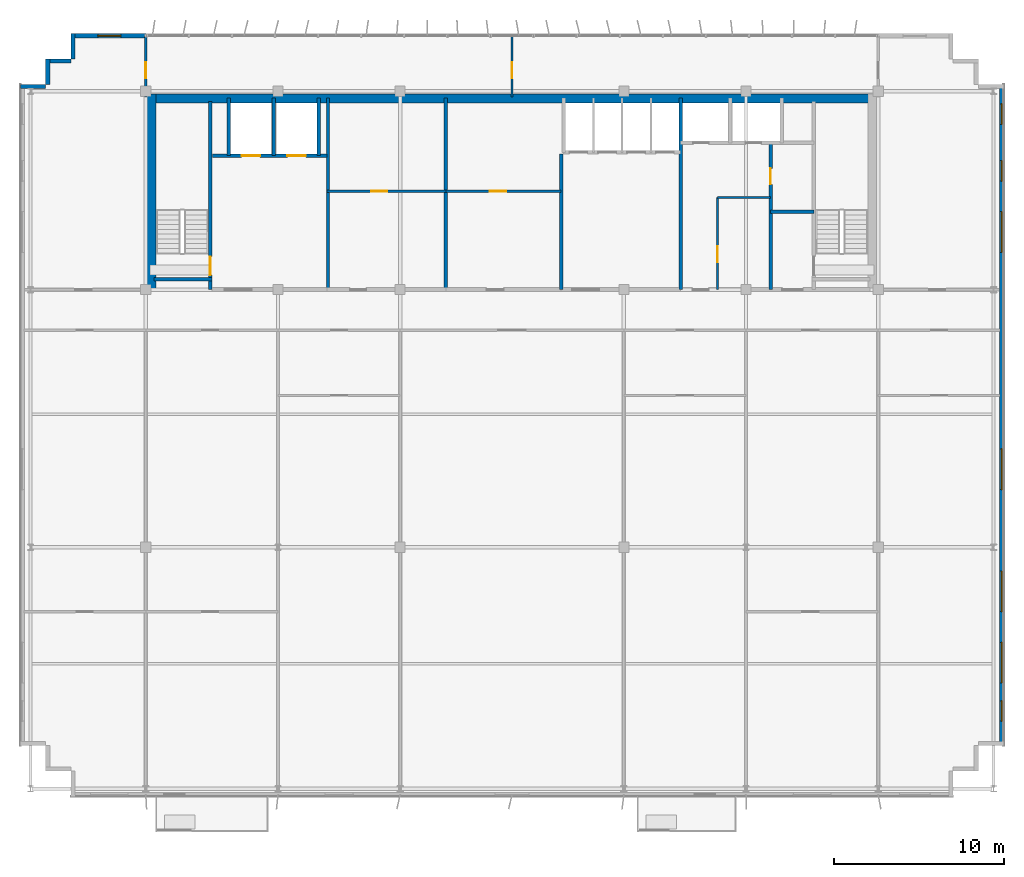
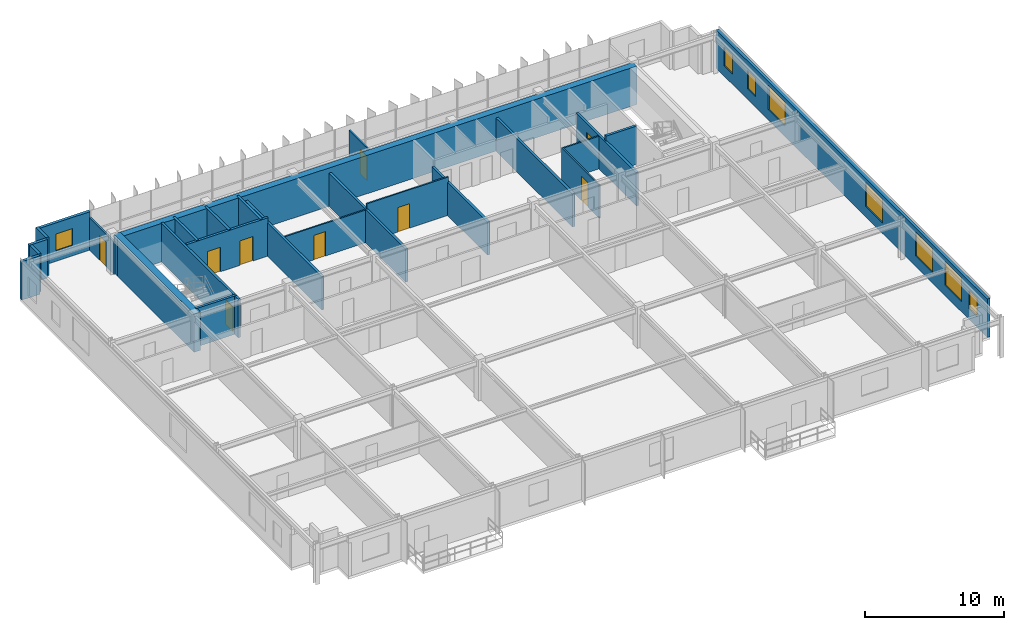
# One storey, part 18 of 21: 26 walls, 9 doors, 8 windows, 17 openings.
"""IFC4 building model written with IfcOpenShell, lengths in metres."""

from ifc_helpers import new_model, si_unit, direction, frame, frame_2d, origin, place, context, subcontext, project, spatial, rectangle, extrude, source, transform, mapped, material, layer, layer_set, type_object, element, fill, save


model = new_model("IFC4")

# Units and contexts
model_context = context("Model", 3, precision=1e-05, world=origin(), true_north=direction((0.0, 1.0)))
body_context = subcontext(model_context, "Body", "Model", "MODEL_VIEW")
ifc_project = project(units=[si_unit("LENGTHUNIT", "METRE"), si_unit("AREAUNIT", "SQUARE_METRE"), si_unit("VOLUMEUNIT", "CUBIC_METRE"), si_unit("PLANEANGLEUNIT", "RADIAN"), si_unit("MASSUNIT", "GRAM", prefix="KILO")], contexts=[model_context])

# Site, building, storey
site_placement = place(None, origin())
site = spatial("IfcSite", under=ifc_project, at=site_placement, CompositionType="ELEMENT")
building_placement = place(site_placement, origin())
building = spatial("IfcBuilding", under=site, at=building_placement, Name="Trelvane Seafront Commons", CompositionType="ELEMENT")
storey_placement = place(building_placement, frame((0.0, 0.0, 252.300048828125)))
storey = spatial("IfcBuildingStorey", under=building, at=storey_placement, Name="L65", CompositionType="ELEMENT", Elevation=252.300048828125)

# Wall, opening, window
ifc_material_1 = material(Name="Precast concrete C40/50", Category="concrete")
ifc_layer_1 = layer(ifc_material_1, 0.239990234375, Name="ARCH-WALL-EXT240")
ifc_layer_set_1 = layer_set([ifc_layer_1], Name="Precast concrete C40/50")
wall_type_1 = type_object("IfcWallType", Name="ARCH-WALL-EXT240", PredefinedType="SOLIDWALL", material=ifc_layer_set_1)
wall_1_placement = place(storey_placement, frame((11.300048828125, 48.3701171875, 0.0), z_axis=(0.0, 0.0, 1.0), x_axis=(1.0, 0.0, 0.0)))
wall_1 = element("IfcWall", 1, at=wall_1_placement, inside=storey, type_object=wall_type_1, Name="EW-L65-NW-1298", PredefinedType="SOLIDWALL", context=body_context, shape_type="SweptSolid", body=[
    extrude(rectangle(XDim=4.300048828125, YDim=0.239990234375, at=frame_2d((2.14990234375, 0.0))), origin(), (0.0, 0.0, 1.0), 3.369873046875),
])
opening_1_placement = place(wall_1_placement, frame((1.47509765625, 0.0, 0.89990234375)))
opening_1 = element("IfcOpeningElement", 2, at=opening_1_placement, cuts=wall_1, Name="Opening W09", PredefinedType="OPENING", context=body_context, shape_type="SweptSolid", body=[
    extrude(rectangle(XDim=1.35009765625, YDim=1.5, at=frame_2d((0.675048828125, 0.75))), frame((0.0, 0.1298828125, 0.0), z_axis=(0.0, -1.0, 0.0), x_axis=(1.0, 0.0, 0.0)), (0.0, 0.0, 1.0), 0.260009765625),
])
ifc_material_2 = material(Name="Low-E coastal double glazing", Category="glass")
window_type_1 = type_object("IfcWindowType", Name="ARCH-WIN-W09", PartitioningType="SINGLE_PANEL", PredefinedType="WINDOW", material=ifc_material_2)
shared_shape_1 = source(origin(), body_context, "Body", "SweptSolid", [
    extrude(rectangle(XDim=1.35009765625, YDim=1.5, at=frame_2d((0.675048828125, 0.75))), frame((0.0, 0.030029296875, 0.0), z_axis=(0.0, -1.0, 0.0), x_axis=(1.0, 0.0, 0.0)), (0.0, 0.0, 1.0), 0.06005859375),
])
window_1_placement = place(opening_1_placement, origin())
window_1 = element("IfcWindow", 3, at=window_1_placement, inside=storey, type_object=window_type_1, Name="WIN-L65-01554", OverallHeight=1.5, OverallWidth=1.35009765625, PartitioningType="SINGLE_PANEL", PredefinedType="WINDOW", context=body_context, shape_type="MappedRepresentation", body=[
    mapped(shared_shape_1, transform((0.0, 0.0, 0.0), x_axis=(1.0, 0.0, 0.0), y_axis=(0.0, 1.0, 0.0), z_axis=(0.0, 0.0, 1.0), scale=1.0)),
])
fill(opening_1, window_1)

# Walls
for number, where, z_axis, x_axis, name in (
    (4, (8.199951171875, 45.3798828125, 0.0), (0.0, 0.0, 1.0), (1.0, 0.0, 0.0), "EW-L65-01304"),
    (5, (9.820068359375, 45.5, 0.0), (0.0, 0.0, 1.0), (0.0, 1.0, 0.0), "EW-L65-01305"),
    (6, (9.699951171875, 46.8798828125, 0.0), (0.0, 0.0, 1.0), (1.0, 0.0, 0.0), "EW-L65-01306"),
    (7, (11.320068359375, 47.0, 0.0), (0.0, 0.0, 1.0), (0.0, 1.0, 0.0), "EW-L65-01307"),
):
    element("IfcWall", number, at=place(storey_placement, frame(where, z_axis=z_axis, x_axis=x_axis)), inside=storey, type_object=wall_type_1, Name=name, PredefinedType="SOLIDWALL", context=body_context, shape_type="SweptSolid", body=[
        extrude(rectangle(XDim=1.5, YDim=0.239990234375, at=frame_2d((0.75, 0.0))), origin(), (0.0, 0.0, 1.0), 3.369873046875),
    ])

# Wall, openings, windows
wall_2_placement = place(storey_placement, frame((66.080078125, 45.5, 0.0), z_axis=(0.0, 0.0, 1.0), x_axis=(0.0, -1.0, 0.0)))
wall_2 = element("IfcWall", 8, at=wall_2_placement, inside=storey, type_object=wall_type_1, Name="EW-L65-01312", PredefinedType="SOLIDWALL", context=body_context, shape_type="SweptSolid", body=[
    extrude(rectangle(XDim=39.0, YDim=0.239990234375, at=frame_2d((19.5, 0.0))), origin(), (0.0, 0.0, 1.0), 3.369873046875),
])
opening_2_placement = place(wall_2_placement, frame((36.35009765625, 0.0, 0.919921875)))
opening_2 = element("IfcOpeningElement", 9, at=opening_2_placement, cuts=wall_2, Name="Opening W05", PredefinedType="OPENING", context=body_context, shape_type="SweptSolid", body=[
    extrude(rectangle(XDim=1.199951171875, YDim=1.64990234375, at=frame_2d((0.60009765625, 0.824951171875))), frame((0.0, 0.1298828125, 0.0), z_axis=(0.0, -1.0, 0.0), x_axis=(1.0, 0.0, 0.0)), (0.0, 0.0, 1.0), 0.260009765625),
])
opening_3_placement = place(wall_2_placement, frame((32.89990234375, 0.0, 0.919921875)))
opening_3 = element("IfcOpeningElement", 10, at=opening_3_placement, cuts=wall_2, Name="Opening W08", PredefinedType="OPENING", context=body_context, shape_type="SweptSolid", body=[
    extrude(rectangle(XDim=2.39990234375, YDim=2.10009765625, at=frame_2d((1.199951171875, 1.050048828125))), frame((0.0, 0.1298828125, 0.0), z_axis=(0.0, -1.0, 0.0), x_axis=(1.0, 0.0, 0.0)), (0.0, 0.0, 1.0), 0.260009765625),
])
opening_4_placement = place(wall_2_placement, frame((28.699951171875, 0.0, 0.919921875)))
opening_4 = element("IfcOpeningElement", 11, at=opening_4_placement, cuts=wall_2, Name="Opening W08", PredefinedType="OPENING", context=body_context, shape_type="SweptSolid", body=[
    extrude(rectangle(XDim=2.39990234375, YDim=2.10009765625, at=frame_2d((1.199951171875, 1.050048828125))), frame((0.0, 0.1298828125, 0.0), z_axis=(0.0, -1.0, 0.0), x_axis=(1.0, 0.0, 0.0)), (0.0, 0.0, 1.0), 0.260009765625),
])
opening_5_placement = place(wall_2_placement, frame((21.5, 0.0, 0.919921875)))
opening_5 = element("IfcOpeningElement", 12, at=opening_5_placement, cuts=wall_2, Name="Opening W08", PredefinedType="OPENING", context=body_context, shape_type="SweptSolid", body=[
    extrude(rectangle(XDim=2.39990234375, YDim=2.10009765625, at=frame_2d((1.199951171875, 1.050048828125))), frame((0.0, 0.1298828125, 0.0), z_axis=(0.0, -1.0, 0.0), x_axis=(1.0, 0.0, 0.0)), (0.0, 0.0, 1.0), 0.260009765625),
])
opening_6_placement = place(wall_2_placement, frame((7.5, 0.0, 0.919921875)))
opening_6 = element("IfcOpeningElement", 13, at=opening_6_placement, cuts=wall_2, Name="Opening W08", PredefinedType="OPENING", context=body_context, shape_type="SweptSolid", body=[
    extrude(rectangle(XDim=2.39990234375, YDim=2.10009765625, at=frame_2d((1.199951171875, 1.050048828125))), frame((0.0, 0.1298828125, 0.0), z_axis=(0.0, -1.0, 0.0), x_axis=(1.0, 0.0, 0.0)), (0.0, 0.0, 1.0), 0.260009765625),
])
opening_7_placement = place(wall_2_placement, frame((4.5, 0.0, 0.919921875)))
opening_7 = element("IfcOpeningElement", 14, at=opening_7_placement, cuts=wall_2, Name="Opening W05", PredefinedType="OPENING", context=body_context, shape_type="SweptSolid", body=[
    extrude(rectangle(XDim=1.199951171875, YDim=1.64990234375, at=frame_2d((0.60009765625, 0.824951171875))), frame((0.0, 0.1298828125, 0.0), z_axis=(0.0, -1.0, 0.0), x_axis=(1.0, 0.0, 0.0)), (0.0, 0.0, 1.0), 0.260009765625),
])
opening_8_placement = place(wall_2_placement, frame((1.14990234375, 0.0, 0.919921875)))
opening_8 = element("IfcOpeningElement", 15, at=opening_8_placement, cuts=wall_2, Name="Opening W05", PredefinedType="OPENING", context=body_context, shape_type="SweptSolid", body=[
    extrude(rectangle(XDim=1.199951171875, YDim=1.64990234375, at=frame_2d((0.60009765625, 0.824951171875))), frame((0.0, 0.1298828125, 0.0), z_axis=(0.0, -1.0, 0.0), x_axis=(1.0, 0.0, 0.0)), (0.0, 0.0, 1.0), 0.260009765625),
])
window_type_2 = type_object("IfcWindowType", Name="ARCH-WIN-W08", PartitioningType="SINGLE_PANEL", PredefinedType="WINDOW", material=ifc_material_2)
shared_shape_2 = source(origin(), body_context, "Body", "SweptSolid", [
    extrude(rectangle(XDim=2.39990234375, YDim=2.10009765625, at=frame_2d((1.199951171875, 1.050048828125))), frame((0.0, 0.030029296875, 0.0), z_axis=(0.0, -1.0, 0.0), x_axis=(1.0, 0.0, 0.0)), (0.0, 0.0, 1.0), 0.06005859375),
])
window_2_placement = place(opening_3_placement, origin())
window_2 = element("IfcWindow", 16, at=window_2_placement, inside=storey, type_object=window_type_2, Name="WIN-L65-EW-01563", OverallHeight=2.10009765625, OverallWidth=2.39990234375, PartitioningType="SINGLE_PANEL", PredefinedType="WINDOW", context=body_context, shape_type="MappedRepresentation", body=[
    mapped(shared_shape_2, transform((0.0, 0.0, 0.0), x_axis=(1.0, 0.0, 0.0), y_axis=(0.0, 1.0, 0.0), z_axis=(0.0, 0.0, 1.0), scale=1.0)),
])
fill(opening_3, window_2)
window_3_placement = place(opening_4_placement, origin())
window_3 = element("IfcWindow", 17, at=window_3_placement, inside=storey, type_object=window_type_2, Name="WIN-L65-EW-01564", OverallHeight=2.10009765625, OverallWidth=2.39990234375, PartitioningType="SINGLE_PANEL", PredefinedType="WINDOW", context=body_context, shape_type="MappedRepresentation", body=[
    mapped(shared_shape_2, transform((0.0, 0.0, 0.0), x_axis=(1.0, 0.0, 0.0), y_axis=(0.0, 1.0, 0.0), z_axis=(0.0, 0.0, 1.0), scale=1.0)),
])
fill(opening_4, window_3)
window_4_placement = place(opening_5_placement, origin())
window_4 = element("IfcWindow", 18, at=window_4_placement, inside=storey, type_object=window_type_2, Name="WIN-L65-EW-01565", OverallHeight=2.10009765625, OverallWidth=2.39990234375, PartitioningType="SINGLE_PANEL", PredefinedType="WINDOW", context=body_context, shape_type="MappedRepresentation", body=[
    mapped(shared_shape_2, transform((0.0, 0.0, 0.0), x_axis=(1.0, 0.0, 0.0), y_axis=(0.0, 1.0, 0.0), z_axis=(0.0, 0.0, 1.0), scale=1.0)),
])
fill(opening_5, window_4)
window_5_placement = place(opening_6_placement, origin())
window_5 = element("IfcWindow", 19, at=window_5_placement, inside=storey, type_object=window_type_2, Name="WIN-L65-EW-01566", OverallHeight=2.10009765625, OverallWidth=2.39990234375, PartitioningType="SINGLE_PANEL", PredefinedType="WINDOW", context=body_context, shape_type="MappedRepresentation", body=[
    mapped(shared_shape_2, transform((0.0, 0.0, 0.0), x_axis=(1.0, 0.0, 0.0), y_axis=(0.0, 1.0, 0.0), z_axis=(0.0, 0.0, 1.0), scale=1.0)),
])
fill(opening_6, window_5)
window_type_3 = type_object("IfcWindowType", Name="ARCH-WIN-W05", PartitioningType="SINGLE_PANEL", PredefinedType="WINDOW", material=ifc_material_2)
shared_shape_3 = source(origin(), body_context, "Body", "SweptSolid", [
    extrude(rectangle(XDim=1.199951171875, YDim=1.64990234375, at=frame_2d((0.60009765625, 0.824951171875))), frame((0.0, 0.030029296875, 0.0), z_axis=(0.0, -1.0, 0.0), x_axis=(1.0, 0.0, 0.0)), (0.0, 0.0, 1.0), 0.06005859375),
])
window_6_placement = place(opening_2_placement, origin())
window_6 = element("IfcWindow", 20, at=window_6_placement, inside=storey, type_object=window_type_3, Name="WIN-L65-EW-01562", OverallHeight=1.64990234375, OverallWidth=1.199951171875, PartitioningType="SINGLE_PANEL", PredefinedType="WINDOW", context=body_context, shape_type="MappedRepresentation", body=[
    mapped(shared_shape_3, transform((0.0, 0.0, 0.0), x_axis=(1.0, 0.0, 0.0), y_axis=(0.0, 1.0, 0.0), z_axis=(0.0, 0.0, 1.0), scale=1.0)),
])
fill(opening_2, window_6)
window_7_placement = place(opening_7_placement, origin())
window_7 = element("IfcWindow", 21, at=window_7_placement, inside=storey, type_object=window_type_3, Name="WIN-L65-EW-01567", OverallHeight=1.64990234375, OverallWidth=1.199951171875, PartitioningType="SINGLE_PANEL", PredefinedType="WINDOW", context=body_context, shape_type="MappedRepresentation", body=[
    mapped(shared_shape_3, transform((0.0, 0.0, 0.0), x_axis=(1.0, 0.0, 0.0), y_axis=(0.0, 1.0, 0.0), z_axis=(0.0, 0.0, 1.0), scale=1.0)),
])
fill(opening_7, window_7)
window_8_placement = place(opening_8_placement, origin())
window_8 = element("IfcWindow", 22, at=window_8_placement, inside=storey, type_object=window_type_3, Name="WIN-L65-EW-01568", OverallHeight=1.64990234375, OverallWidth=1.199951171875, PartitioningType="SINGLE_PANEL", PredefinedType="WINDOW", context=body_context, shape_type="MappedRepresentation", body=[
    mapped(shared_shape_3, transform((0.0, 0.0, 0.0), x_axis=(1.0, 0.0, 0.0), y_axis=(0.0, 1.0, 0.0), z_axis=(0.0, 0.0, 1.0), scale=1.0)),
])
fill(opening_8, window_8)

# Wall, opening, door
ifc_material_3 = material(Name="Concrete C40/50", Category="concrete")
ifc_layer_2 = layer(ifc_material_3, 0.199951171875, Name="ARCH-WALL-FIRE200")
ifc_layer_set_2 = layer_set([ifc_layer_2], Name="Concrete C40/50")
wall_type_2 = type_object("IfcWallType", Name="ARCH-WALL-FIRE200", PredefinedType="PARTITIONING", material=ifc_layer_set_2)
wall_3_placement = place(storey_placement, frame((52.449951171875, 33.39990234375, 0.0), z_axis=(0.0, 0.0, 1.0), x_axis=(0.0, 1.0, 0.0)))
wall_3 = element("IfcWall", 23, at=wall_3_placement, inside=storey, type_object=wall_type_2, Name="W-L65-ST2V-W-030", PredefinedType="PARTITIONING", context=body_context, shape_type="SweptSolid", body=[
    extrude(rectangle(XDim=8.650146484375, YDim=0.199951171875, at=frame_2d((4.3251953125, 0.0))), origin(), (0.0, 0.0, 1.0), 2.919921875),
])
opening_9_placement = place(wall_3_placement, frame((6.199951171875, 0.0, 0.0)))
opening_9 = element("IfcOpeningElement", 24, at=opening_9_placement, cuts=wall_3, Name="Opening FD-L65-17", PredefinedType="OPENING", context=body_context, shape_type="SweptSolid", body=[
    extrude(rectangle(XDim=0.949951171875, YDim=2.14990234375, at=frame_2d((0.47509765625, 1.074951171875))), frame((0.0, 0.10986328125, 0.0), z_axis=(0.0, -1.0, 0.0), x_axis=(1.0, 0.0, 0.0)), (0.0, 0.0, 1.0), 0.219970703125),
])
ifc_material_4 = material(Name="Powder-coated aluminium frame", Category="aluminium")
door_type_1 = type_object("IfcDoorType", Name="ARCH-DR-FD60-950", OperationType="NOTDEFINED", PredefinedType="DOOR", material=ifc_material_4)
shared_shape_4 = source(origin(), body_context, "Body", "SweptSolid", [
    extrude(rectangle(XDim=0.949951171875, YDim=2.14990234375, at=frame_2d((0.47509765625, 1.074951171875))), frame((0.0, 0.02490234375, 0.0), z_axis=(0.0, -1.0, 0.0), x_axis=(1.0, 0.0, 0.0)), (0.0, 0.0, 1.0), 0.050048828125),
])
door_1_placement = place(opening_9_placement, origin())
door_1 = element("IfcDoor", 25, at=door_1_placement, inside=storey, type_object=door_type_1, Name="L65 Cleaner Store Door", OperationType="SINGLE_SWING_LEFT", OverallHeight=2.14990234375, OverallWidth=0.949951171875, PredefinedType="DOOR", context=body_context, shape_type="MappedRepresentation", body=[
    mapped(shared_shape_4, transform((0.0, 0.0, 0.0), x_axis=(1.0, 0.0, 0.0), y_axis=(0.0, 1.0, 0.0), z_axis=(0.0, 0.0, 1.0), scale=1.0)),
])
fill(opening_9, door_1)

# Wall
wall_4_placement = place(storey_placement, frame((52.449951171875, 38.0, 0.0), z_axis=(0.0, 0.0, 1.0), x_axis=(1.0, 0.0, 0.0)))
element("IfcWall", 26, at=wall_4_placement, inside=storey, type_object=wall_type_2, Name="W-L65-ST2V-N-031", PredefinedType="PARTITIONING", context=body_context, shape_type="SweptSolid", body=[
    extrude(rectangle(XDim=2.550048828125, YDim=0.199951171875, at=frame_2d((1.27490234375, 0.0))), origin(), (0.0, 0.0, 1.0), 3.369873046875),
])

# Wall, opening, door
ifc_material_5 = material(Name="Gypsum Drywall Acoustic Partition")
ifc_layer_3 = layer(ifc_material_5, 0.1201171875, Name="ARCH-WALL-PART120")
ifc_layer_set_3 = layer_set([ifc_layer_3], Name="Gypsum Drywall Acoustic Partition")
wall_type_3 = type_object("IfcWallType", Name="ARCH-WALL-PART120", PredefinedType="PARTITIONING", material=ifc_layer_set_3)
wall_5_placement = place(storey_placement, frame((26.300048828125, 39.199951171875, 0.0), z_axis=(0.0, 0.0, 1.0), x_axis=(1.0, 0.0, 0.0)))
wall_5 = element("IfcWall", 27, at=wall_5_placement, inside=storey, type_object=wall_type_3, Name="W-L65-FREED-PL-MID-014", PredefinedType="PARTITIONING", context=body_context, shape_type="SweptSolid", body=[
    extrude(rectangle(XDim=7.0, YDim=0.1201171875, at=frame_2d((3.5, 0.0))), origin(), (0.0, 0.0, 1.0), 2.869873046875),
])
opening_10_placement = place(wall_5_placement, frame((2.60009765625, 0.0, 0.0)))
opening_10 = element("IfcOpeningElement", 28, at=opening_10_placement, cuts=wall_5, Name="Opening D-L65-06", PredefinedType="OPENING", context=body_context, shape_type="SweptSolid", body=[
    extrude(rectangle(XDim=0.949951171875, YDim=2.14990234375, at=frame_2d((0.47509765625, 1.074951171875))), frame((0.0, 0.070068359375, 0.0), z_axis=(0.0, -1.0, 0.0), x_axis=(1.0, 0.0, 0.0)), (0.0, 0.0, 1.0), 0.14013671875),
])
ifc_material_6 = material(Name="Acoustic timber door leaf", Category="wood")
door_type_2 = type_object("IfcDoorType", Name="ARCH-DR-INT950", OperationType="NOTDEFINED", PredefinedType="DOOR", material=ifc_material_6)
door_2_placement = place(opening_10_placement, origin())
door_2 = element("IfcDoor", 29, at=door_2_placement, inside=storey, type_object=door_type_2, Name="L65 Housekeeping Store Door", OperationType="SINGLE_SWING_RIGHT", OverallHeight=2.14990234375, OverallWidth=0.949951171875, PredefinedType="DOOR", context=body_context, shape_type="MappedRepresentation", body=[
    mapped(shared_shape_4, transform((0.0, 0.0, 0.0), x_axis=(1.0, 0.0, 0.0), y_axis=(0.0, 1.0, 0.0), z_axis=(0.0, 0.0, 1.0), scale=1.0)),
])
fill(opening_10, door_2)

wall_6_placement = place(storey_placement, frame((33.300048828125, 39.199951171875, 0.0), z_axis=(0.0, 0.0, 1.0), x_axis=(1.0, 0.0, 0.0)))
wall_6 = element("IfcWall", 30, at=wall_6_placement, inside=storey, type_object=wall_type_3, Name="W-L65-FREED-PM-MID-016", PredefinedType="PARTITIONING", context=body_context, shape_type="SweptSolid", body=[
    extrude(rectangle(XDim=6.800048828125, YDim=0.1201171875, at=frame_2d((3.39990234375, 0.0))), origin(), (0.0, 0.0, 1.0), 3.369873046875),
])
opening_11_placement = place(wall_6_placement, frame((2.60009765625, 0.0, 0.0)))
opening_11 = element("IfcOpeningElement", 31, at=opening_11_placement, cuts=wall_6, Name="Opening D-L65-07", PredefinedType="OPENING", context=body_context, shape_type="SweptSolid", body=[
    extrude(rectangle(XDim=0.949951171875, YDim=2.14990234375, at=frame_2d((0.47509765625, 1.074951171875))), frame((0.0, 0.070068359375, 0.0), z_axis=(0.0, -1.0, 0.0), x_axis=(1.0, 0.0, 0.0)), (0.0, 0.0, 1.0), 0.14013671875),
])
door_3_placement = place(opening_11_placement, origin())
door_3 = element("IfcDoor", 32, at=door_3_placement, inside=storey, type_object=door_type_2, Name="L65 IT Comms Room Door", OperationType="SINGLE_SWING_LEFT", OverallHeight=2.14990234375, OverallWidth=0.949951171875, PredefinedType="DOOR", context=body_context, shape_type="MappedRepresentation", body=[
    mapped(shared_shape_4, transform((0.0, 0.0, 0.0), x_axis=(1.0, 0.0, 0.0), y_axis=(0.0, 1.0, 0.0), z_axis=(0.0, 0.0, 1.0), scale=1.0)),
])
fill(opening_11, door_3)

wall_7_placement = place(storey_placement, frame((49.320068359375, 33.39990234375, 0.0), z_axis=(0.0, 0.0, 1.0), x_axis=(0.0, 1.0, 0.0)))
wall_7 = element("IfcWall", 33, at=wall_7_placement, inside=storey, type_object=wall_type_3, Name="W-L65-CYC2-V-032", PredefinedType="PARTITIONING", context=body_context, shape_type="SweptSolid", body=[
    extrude(rectangle(XDim=5.420166015625, YDim=0.1201171875, at=frame_2d((2.7099609375, 0.0))), origin(), (0.0, 0.0, 1.0), 2.919921875),
])
opening_12_placement = place(wall_7_placement, frame((1.60009765625, 0.0, 0.0)))
opening_12 = element("IfcOpeningElement", 34, at=opening_12_placement, cuts=wall_7, Name="Opening D-L65-18", PredefinedType="OPENING", context=body_context, shape_type="SweptSolid", body=[
    extrude(rectangle(XDim=0.949951171875, YDim=2.14990234375, at=frame_2d((0.47509765625, 1.074951171875))), frame((0.0, 0.070068359375, 0.0), z_axis=(0.0, -1.0, 0.0), x_axis=(1.0, 0.0, 0.0)), (0.0, 0.0, 1.0), 0.14013671875),
])
door_4_placement = place(opening_12_placement, origin())
door_4 = element("IfcDoor", 35, at=door_4_placement, inside=storey, type_object=door_type_2, Name="L65 Accessible WC Door", OperationType="SINGLE_SWING_RIGHT", OverallHeight=2.14990234375, OverallWidth=0.949951171875, PredefinedType="DOOR", context=body_context, shape_type="MappedRepresentation", body=[
    mapped(shared_shape_4, transform((0.0, 0.0, 0.0), x_axis=(1.0, 0.0, 0.0), y_axis=(0.0, 1.0, 0.0), z_axis=(0.0, 0.0, 1.0), scale=1.0)),
])
fill(opening_12, door_4)

# Wall
wall_8_placement = place(storey_placement, frame((49.320068359375, 38.820068359375, 0.0), z_axis=(0.0, 0.0, 1.0), x_axis=(1.0, 0.0, 0.0)))
element("IfcWall", 36, at=wall_8_placement, inside=storey, type_object=wall_type_3, Name="W-L65-CYC2-H-033", PredefinedType="PARTITIONING", context=body_context, shape_type="SweptSolid", body=[
    extrude(rectangle(XDim=3.1298828125, YDim=0.1201171875, at=frame_2d((1.56494140625, 0.0))), origin(), (0.0, 0.0, 1.0), 2.869873046875),
])

# Wall, opening, door
wall_9_placement = place(storey_placement, frame((37.199951171875, 44.75, 0.0), z_axis=(0.0, 0.0, 1.0), x_axis=(0.0, 1.0, 0.0)))
wall_9 = element("IfcWall", 37, at=wall_9_placement, inside=storey, type_object=wall_type_3, Name="W-L65-N-MID-DV-037", PredefinedType="PARTITIONING", context=body_context, shape_type="SweptSolid", body=[
    extrude(rectangle(XDim=3.610107421875, YDim=0.1201171875, at=frame_2d((1.80517578125, 0.0))), origin(), (0.0, 0.0, 1.0), 2.919921875),
])
opening_13_placement = place(wall_9_placement, frame((1.10009765625, 0.0, 0.0)))
opening_13 = element("IfcOpeningElement", 38, at=opening_13_placement, cuts=wall_9, Name="Opening D-L65-23", PredefinedType="OPENING", context=body_context, shape_type="SweptSolid", body=[
    extrude(rectangle(XDim=0.949951171875, YDim=2.14990234375, at=frame_2d((0.47509765625, 1.074951171875))), frame((0.0, 0.070068359375, 0.0), z_axis=(0.0, -1.0, 0.0), x_axis=(1.0, 0.0, 0.0)), (0.0, 0.0, 1.0), 0.14013671875),
])
door_5_placement = place(opening_13_placement, origin())
door_5 = element("IfcDoor", 39, at=door_5_placement, inside=storey, type_object=door_type_2, Name="L65 Door 23", OperationType="SINGLE_SWING_LEFT", OverallHeight=2.14990234375, OverallWidth=0.949951171875, PredefinedType="DOOR", context=body_context, shape_type="MappedRepresentation", body=[
    mapped(shared_shape_4, transform((0.0, 0.0, 0.0), x_axis=(1.0, 0.0, 0.0), y_axis=(0.0, 1.0, 0.0), z_axis=(0.0, 0.0, 1.0), scale=1.0)),
])
fill(opening_13, door_5)

ifc_layer_4 = layer(ifc_material_5, 0.14990234375, Name="ARCH-WALL-PART150")
ifc_layer_set_4 = layer_set([ifc_layer_4], Name="Gypsum Drywall Acoustic Partition")
wall_type_4 = type_object("IfcWallType", Name="ARCH-WALL-PART150", PredefinedType="PARTITIONING", material=ifc_layer_set_4)
wall_10_placement = place(storey_placement, frame((15.60009765625, 44.75, 0.0), z_axis=(0.0, 0.0, 1.0), x_axis=(0.0, 1.0, 0.0)))
wall_10 = element("IfcWall", 40, at=wall_10_placement, inside=storey, type_object=wall_type_4, Name="W-L65-N-LINK-W-038", PredefinedType="PARTITIONING", context=body_context, shape_type="SweptSolid", body=[
    extrude(rectangle(XDim=3.610107421875, YDim=0.14990234375, at=frame_2d((1.80517578125, 0.0))), origin(), (0.0, 0.0, 1.0), 2.869873046875),
])
opening_14_placement = place(wall_10_placement, frame((1.10009765625, 0.0, 0.0)))
opening_14 = element("IfcOpeningElement", 41, at=opening_14_placement, cuts=wall_10, Name="Opening FD-L65-24", PredefinedType="OPENING", context=body_context, shape_type="SweptSolid", body=[
    extrude(rectangle(XDim=0.949951171875, YDim=2.14990234375, at=frame_2d((0.47509765625, 1.074951171875))), frame((0.0, 0.0849609375, 0.0), z_axis=(0.0, -1.0, 0.0), x_axis=(1.0, 0.0, 0.0)), (0.0, 0.0, 1.0), 0.169921875),
])
door_6_placement = place(opening_14_placement, origin())
door_6 = element("IfcDoor", 42, at=door_6_placement, inside=storey, type_object=door_type_1, Name="L65 Door 24", OperationType="SINGLE_SWING_RIGHT", OverallHeight=2.14990234375, OverallWidth=0.949951171875, PredefinedType="DOOR", context=body_context, shape_type="MappedRepresentation", body=[
    mapped(shared_shape_4, transform((0.0, 0.0, 0.0), x_axis=(1.0, 0.0, 0.0), y_axis=(0.0, 1.0, 0.0), z_axis=(0.0, 0.0, 1.0), scale=1.0)),
])
fill(opening_14, door_6)

# Wall, openings, doors
ifc_layer_5 = layer(ifc_material_3, 0.199951171875, Name="ARCH-WALL-SHAFT200")
ifc_layer_set_5 = layer_set([ifc_layer_5], Name="Concrete C40/50")
wall_type_5 = type_object("IfcWallType", Name="ARCH-WALL-SHAFT200", PredefinedType="SOLIDWALL", material=ifc_layer_set_5)
wall_11_placement = place(storey_placement, frame((19.550048828125, 41.300048828125, 0.0), z_axis=(0.0, 0.0, 1.0), x_axis=(1.0, 0.0, 0.0)))
wall_11 = element("IfcWall", 43, at=wall_11_placement, inside=storey, type_object=wall_type_5, Name="W-L65-FFL-FRONT-008", PredefinedType="SOLIDWALL", context=body_context, shape_type="SweptSolid", body=[
    extrude(rectangle(XDim=6.75, YDim=0.199951171875, at=frame_2d((3.375, 0.0))), origin(), (0.0, 0.0, 1.0), 3.369873046875),
])
opening_15_placement = place(wall_11_placement, frame((1.699951171875, 0.0, 0.0)))
opening_15 = element("IfcOpeningElement", 44, at=opening_15_placement, cuts=wall_11, Name="Opening LD-FF1-L65", PredefinedType="OPENING", context=body_context, shape_type="SweptSolid", body=[
    extrude(rectangle(XDim=1.10009765625, YDim=2.14990234375, at=frame_2d((0.550048828125, 1.074951171875))), frame((0.0, 0.10986328125, 0.0), z_axis=(0.0, -1.0, 0.0), x_axis=(1.0, 0.0, 0.0)), (0.0, 0.0, 1.0), 0.219970703125),
])
opening_16_placement = place(wall_11_placement, frame((4.39990234375, 0.0, 0.0)))
opening_16 = element("IfcOpeningElement", 45, at=opening_16_placement, cuts=wall_11, Name="Opening LD-FF2-L65", PredefinedType="OPENING", context=body_context, shape_type="SweptSolid", body=[
    extrude(rectangle(XDim=1.10009765625, YDim=2.14990234375, at=frame_2d((0.550048828125, 1.074951171875))), frame((0.0, 0.10986328125, 0.0), z_axis=(0.0, -1.0, 0.0), x_axis=(1.0, 0.0, 0.0)), (0.0, 0.0, 1.0), 0.219970703125),
])
ifc_material_7 = material(Name="Stainless steel balustrade", Category="steel")
door_type_3 = type_object("IfcDoorType", Name="ARCH-DR-LD1100", OperationType="DOUBLE_DOOR_SLIDING", PredefinedType="DOOR", material=ifc_material_7)
shared_shape_5 = source(origin(), body_context, "Body", "SweptSolid", [
    extrude(rectangle(XDim=1.10009765625, YDim=2.14990234375, at=frame_2d((0.550048828125, 1.074951171875))), frame((0.0, 0.02490234375, 0.0), z_axis=(0.0, -1.0, 0.0), x_axis=(1.0, 0.0, 0.0)), (0.0, 0.0, 1.0), 0.050048828125),
])
door_7_placement = place(opening_15_placement, origin())
door_7 = element("IfcDoor", 46, at=door_7_placement, inside=storey, type_object=door_type_3, Name="L65 Firefighting Lift FFL-1 Landing Door", OperationType="DOUBLE_DOOR_SLIDING", OverallHeight=2.14990234375, OverallWidth=1.10009765625, PredefinedType="DOOR", context=body_context, shape_type="MappedRepresentation", body=[
    mapped(shared_shape_5, transform((0.0, 0.0, 0.0), x_axis=(1.0, 0.0, 0.0), y_axis=(0.0, 1.0, 0.0), z_axis=(0.0, 0.0, 1.0), scale=1.0)),
])
fill(opening_15, door_7)
door_8_placement = place(opening_16_placement, origin())
door_8 = element("IfcDoor", 47, at=door_8_placement, inside=storey, type_object=door_type_3, Name="L65 Firefighting Lift FFL-2 Landing Door", OperationType="DOUBLE_DOOR_SLIDING", OverallHeight=2.14990234375, OverallWidth=1.10009765625, PredefinedType="DOOR", context=body_context, shape_type="MappedRepresentation", body=[
    mapped(shared_shape_5, transform((0.0, 0.0, 0.0), x_axis=(1.0, 0.0, 0.0), y_axis=(0.0, 1.0, 0.0), z_axis=(0.0, 0.0, 1.0), scale=1.0)),
])
fill(opening_16, door_8)

# Walls
for number, where, z_axis, x_axis, name in (
    (48, (20.5, 41.300048828125, 0.0), (0.0, 0.0, 1.0), (0.0, 1.0, 0.0), "W-L65-FFL-SH-W-009"),
    (49, (23.14990234375, 41.300048828125, 0.0), (0.0, 0.0, 1.0), (0.0, 1.0, 0.0), "W-L65-FFL-DIV-010"),
    (50, (25.800048828125, 41.300048828125, 0.0), (0.0, 0.0, 1.0), (0.0, 1.0, 0.0), "W-L65-FFL-SH-E-011"),
):
    element("IfcWall", number, at=place(storey_placement, frame(where, z_axis=z_axis, x_axis=x_axis)), inside=storey, type_object=wall_type_5, Name=name, PredefinedType="SOLIDWALL", context=body_context, shape_type="SweptSolid", body=[
        extrude(rectangle(XDim=3.39990234375, YDim=0.199951171875, at=frame_2d((1.699951171875, 0.0))), origin(), (0.0, 0.0, 1.0), 3.369873046875),
    ])
for number, where, z_axis, x_axis, name in (
    (51, (26.35009765625, 33.39990234375, 0.0), (0.0, 0.0, 1.0), (0.0, 1.0, 0.0), "W-L65-FFL-EAST-012"),
    (52, (33.300048828125, 33.39990234375, 0.0), (0.0, 0.0, 1.0), (0.0, 1.0, 0.0), "W-L65-FREED-PL-E-015"),
):
    element("IfcWall", number, at=place(storey_placement, frame(where, z_axis=z_axis, x_axis=x_axis)), inside=storey, type_object=wall_type_5, Name=name, PredefinedType="SOLIDWALL", context=body_context, shape_type="SweptSolid", body=[
        extrude(rectangle(XDim=11.300048828125, YDim=0.199951171875, at=frame_2d((5.64990234375, 0.0))), origin(), (0.0, 0.0, 1.0), 2.919921875),
    ])
wall_12_placement = place(storey_placement, frame((40.10009765625, 33.39990234375, 0.0), z_axis=(0.0, 0.0, 1.0), x_axis=(0.0, 1.0, 0.0)))
element("IfcWall", 53, at=wall_12_placement, inside=storey, type_object=wall_type_5, Name="W-L65-FREED-PM-E-017", PredefinedType="SOLIDWALL", context=body_context, shape_type="SweptSolid", body=[
    extrude(rectangle(XDim=8.0, YDim=0.199951171875, at=frame_2d((4.0, 0.0))), origin(), (0.0, 0.0, 1.0), 2.919921875),
])
wall_13_placement = place(storey_placement, frame((47.14990234375, 33.39990234375, 0.0), z_axis=(0.0, 0.0, 1.0), x_axis=(0.0, 1.0, 0.0)))
element("IfcWall", 54, at=wall_13_placement, inside=storey, type_object=wall_type_5, Name="W-L65-PH-EAST-023", PredefinedType="SOLIDWALL", context=body_context, shape_type="SweptSolid", body=[
    extrude(rectangle(XDim=11.300048828125, YDim=0.199951171875, at=frame_2d((5.64990234375, 0.0))), origin(), (0.0, 0.0, 1.0), 2.919921875),
])
ifc_material_8 = material(Name="Concrete C50/60", Category="concrete")
ifc_layer_6 = layer(ifc_material_8, 0.550048828125, Name="STR-WALL-CORE550")
ifc_layer_set_6 = layer_set([ifc_layer_6], Name="Concrete C50/60")
wall_type_6 = type_object("IfcWallType", Name="STR-WALL-CORE550", PredefinedType="SHEAR", material=ifc_layer_set_6)
wall_14_placement = place(storey_placement, frame((15.64990234375, 44.675048828125, 0.0), z_axis=(0.0, 0.0, 1.0), x_axis=(1.0, 0.0, 0.0)))
element("IfcWall", 55, at=wall_14_placement, inside=storey, type_object=wall_type_6, Name="W-L65-CN-ALL-001", PredefinedType="SHEAR", context=body_context, shape_type="SweptSolid", body=[
    extrude(rectangle(XDim=43.10009765625, YDim=0.550048828125, at=frame_2d((21.550048828125, 0.0))), origin(), (0.0, 0.0, 1.0), 3.369873046875),
])
wall_15_placement = place(storey_placement, frame((15.925048828125, 33.39990234375, 0.0), z_axis=(0.0, 0.0, 1.0), x_axis=(0.0, 1.0, 0.0)))
element("IfcWall", 56, at=wall_15_placement, inside=storey, type_object=wall_type_6, Name="W-L65-CW-END-002", PredefinedType="SHEAR", context=body_context, shape_type="SweptSolid", body=[
    extrude(rectangle(XDim=11.550048828125, YDim=0.550048828125, at=frame_2d((5.77490234375, 0.0))), origin(), (0.0, 0.0, 1.0), 3.369873046875),
])
ifc_layer_7 = layer(ifc_material_8, 0.199951171875, Name="STR-WALL-STAIR200")
ifc_layer_set_7 = layer_set([ifc_layer_7], Name="Concrete C50/60")
wall_type_7 = type_object("IfcWallType", Name="STR-WALL-STAIR200", PredefinedType="SHEAR", material=ifc_layer_set_7)
wall_16_placement = place(storey_placement, frame((16.10009765625, 34.0, 0.0), z_axis=(0.0, 0.0, 1.0), x_axis=(1.0, 0.0, 0.0)))
element("IfcWall", 57, at=wall_16_placement, inside=storey, type_object=wall_type_7, Name="W-L65-ST1-S-004", PredefinedType="SHEAR", context=body_context, shape_type="SweptSolid", body=[
    extrude(rectangle(XDim=3.39990234375, YDim=0.199951171875, at=frame_2d((1.699951171875, 0.0))), origin(), (0.0, 0.0, 1.0), 3.369873046875),
])

# Wall, opening, door
wall_17_placement = place(storey_placement, frame((19.39990234375, 33.39990234375, 0.0), z_axis=(0.0, 0.0, 1.0), x_axis=(0.0, 1.0, 0.0)))
wall_17 = element("IfcWall", 58, at=wall_17_placement, inside=storey, type_object=wall_type_7, Name="W-L65-ST1-E-005", PredefinedType="SHEAR", context=body_context, shape_type="SweptSolid", body=[
    extrude(rectangle(XDim=11.10009765625, YDim=0.199951171875, at=frame_2d((5.550048828125, 0.0))), origin(), (0.0, 0.0, 1.0), 3.369873046875),
])
opening_17_placement = place(wall_17_placement, frame((0.85009765625, 0.0, 0.0)))
opening_17 = element("IfcOpeningElement", 59, at=opening_17_placement, cuts=wall_17, Name="Opening ST-D1-L65", PredefinedType="OPENING", context=body_context, shape_type="SweptSolid", body=[
    extrude(rectangle(XDim=1.10009765625, YDim=2.14990234375, at=frame_2d((0.550048828125, 1.074951171875))), frame((0.0, 0.10986328125, 0.0), z_axis=(0.0, -1.0, 0.0), x_axis=(1.0, 0.0, 0.0)), (0.0, 0.0, 1.0), 0.219970703125),
])
door_type_4 = type_object("IfcDoorType", Name="ARCH-DR-FD90-1100", OperationType="NOTDEFINED", PredefinedType="DOOR", material=ifc_material_4)
door_9_placement = place(opening_17_placement, origin())
door_9 = element("IfcDoor", 60, at=door_9_placement, inside=storey, type_object=door_type_4, Name="L65 Stair ST-1 Lobby Fire Door", OperationType="SINGLE_SWING_LEFT", OverallHeight=2.14990234375, OverallWidth=1.10009765625, PredefinedType="DOOR", context=body_context, shape_type="MappedRepresentation", body=[
    mapped(shared_shape_5, transform((0.0, 0.0, 0.0), x_axis=(1.0, 0.0, 0.0), y_axis=(0.0, 1.0, 0.0), z_axis=(0.0, 0.0, 1.0), scale=1.0)),
])
fill(opening_17, door_9)

save(model, "model.ifc")
